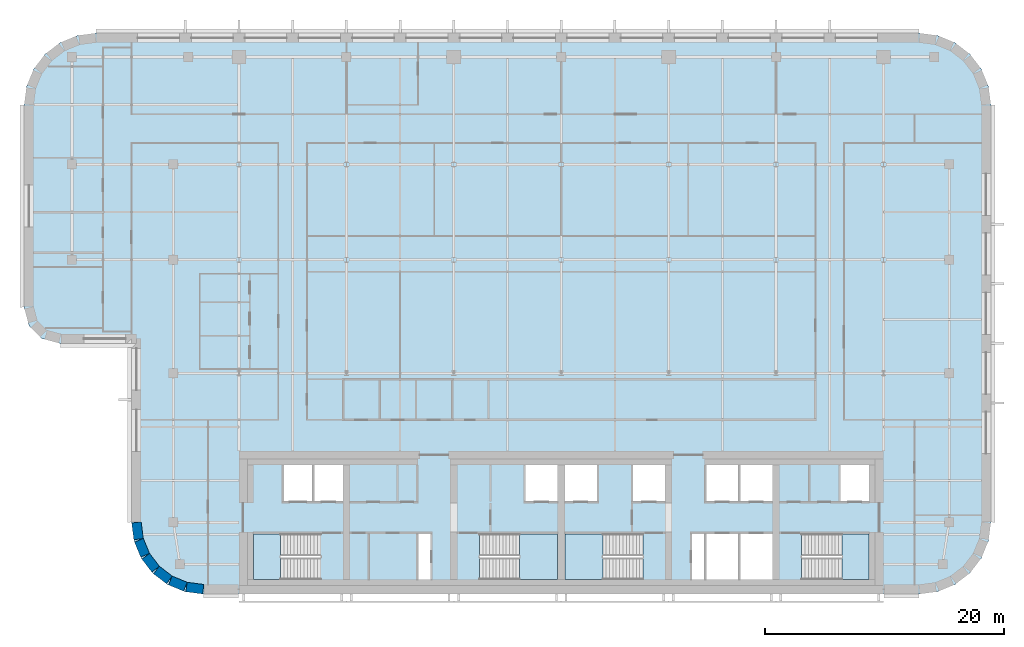
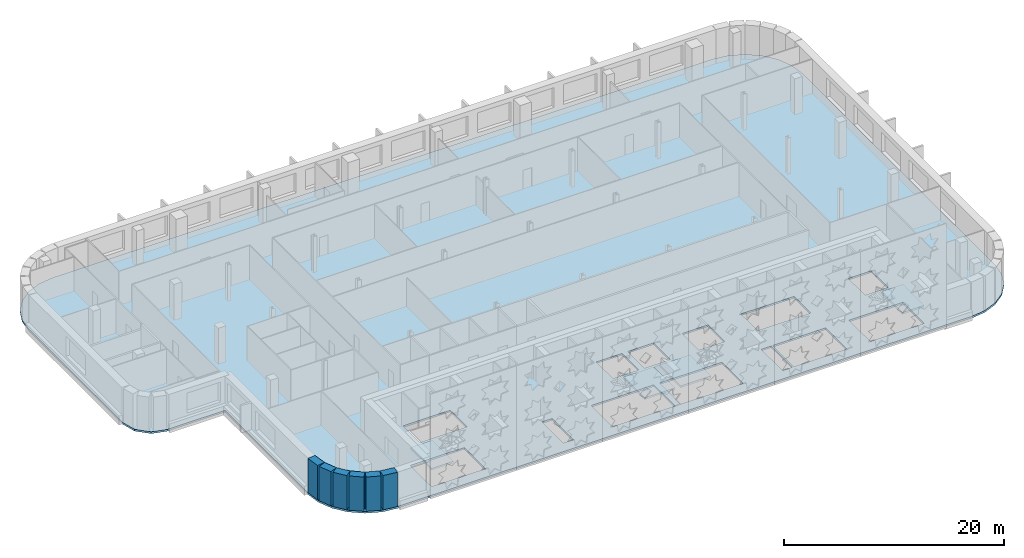
# One storey, part 6 of 18: 6 walls, 5 slabs, 4 elements without a shape of their own.
"""IFC4 building model written with IfcOpenShell, lengths in metres."""

from ifc_helpers import new_model, si_unit, direction, frame, frame_2d, origin, place, context, subcontext, project, spatial, polyline, rectangle, outline, extrude, material, layer, layer_set, type_object, element, aggregate, save


model = new_model("IFC4")

# Units and contexts
model_context = context("Model", 3, precision=1e-05, world=origin(), true_north=direction((0.0, 1.0)))
body_context = subcontext(model_context, "Body", "Model", "MODEL_VIEW")
ifc_project = project(units=[si_unit("LENGTHUNIT", "METRE"), si_unit("AREAUNIT", "SQUARE_METRE"), si_unit("VOLUMEUNIT", "CUBIC_METRE"), si_unit("PLANEANGLEUNIT", "RADIAN"), si_unit("MASSUNIT", "GRAM", prefix="KILO")], contexts=[model_context])

# Site, building, storey
site_placement = place(None, origin())
site = spatial("IfcSite", under=ifc_project, at=site_placement, CompositionType="ELEMENT")
building_placement = place(site_placement, origin())
building = spatial("IfcBuilding", under=site, at=building_placement, Name="Zellij Exchange Tower", CompositionType="ELEMENT")
storey_placement = place(building_placement, frame((0.0, 0.0, 240.5)))
storey = spatial("IfcBuildingStorey", under=building, at=storey_placement, Name="L56", CompositionType="ELEMENT", Elevation=240.5)

# Stair, slab
ifc_material_1 = material(Name="Concrete C40/50", Category="concrete")
stair_type = type_object("IfcStairType", Name="CORE-ST exit stair 1850 wide", PredefinedType="HALF_TURN_STAIR", material=ifc_material_1)
stair_1_placement = place(storey_placement, origin())
stair_1 = element("IfcStair", 1, at=stair_1_placement, inside=storey, type_object=stair_type, Name="L56 exit stair ST1", PredefinedType="HALF_TURN_STAIR")
ifc_layer_1 = layer(ifc_material_1, 0.199951171875)
ifc_layer_set_1 = layer_set([ifc_layer_1], Name="Concrete C40/50")
slab_type_1 = type_object("IfcSlabType", Name="CORE-SL stair landing 200", PredefinedType="LANDING", material=ifc_layer_set_1)
slab_1_placement = place(storey_placement, frame((0.0, 0.0, 1.800048828125)))
slab_1 = element("IfcSlab", 2, at=slab_1_placement, type_object=slab_type_1, Name="ST1 landing 1", PredefinedType="LANDING", context=body_context, shape_type="SweptSolid", body=[
    extrude(outline(polyline([(-23.510009765625, -8.949951171875), (-25.800048828125, -8.949951171875), (-25.800048828125, -12.800048828125), (-23.510009765625, -12.800048828125), (-23.510009765625, -8.949951171875)])), origin(), (0.0, 0.0, 1.0), 0.199951171875),
])
aggregate(stair_1, [slab_1])

stair_2_placement = place(storey_placement, origin())
stair_2 = element("IfcStair", 3, at=stair_2_placement, inside=storey, type_object=stair_type, Name="L56 exit stair ST2", PredefinedType="HALF_TURN_STAIR")
slab_2_placement = place(storey_placement, frame((0.0, 0.0, 1.800048828125)))
slab_2 = element("IfcSlab", 4, at=slab_2_placement, type_object=slab_type_1, Name="ST2 landing 1", PredefinedType="LANDING", context=body_context, shape_type="SweptSolid", body=[
    extrude(outline(polyline([(-3.489990234375, -12.800048828125), (-0.300048828125, -12.800048828125), (-0.300048828125, -8.949951171875), (-3.489990234375, -8.949951171875), (-3.489990234375, -12.800048828125)])), origin(), (0.0, 0.0, 1.0), 0.199951171875),
])
aggregate(stair_2, [slab_2])

stair_3_placement = place(storey_placement, origin())
stair_3 = element("IfcStair", 5, at=stair_3_placement, inside=storey, type_object=stair_type, Name="L56 exit stair ST3", PredefinedType="HALF_TURN_STAIR")
slab_3_placement = place(storey_placement, frame((0.0, 0.0, 1.800048828125)))
slab_3 = element("IfcSlab", 6, at=slab_3_placement, type_object=slab_type_1, Name="ST3 landing 1", PredefinedType="LANDING", context=body_context, shape_type="SweptSolid", body=[
    extrude(outline(polyline([(3.489990234375, -8.949951171875), (0.300048828125, -8.949951171875), (0.300048828125, -12.800048828125), (3.489990234375, -12.800048828125), (3.489990234375, -8.949951171875)])), origin(), (0.0, 0.0, 1.0), 0.199951171875),
])
aggregate(stair_3, [slab_3])

stair_4_placement = place(storey_placement, origin())
stair_4 = element("IfcStair", 7, at=stair_4_placement, inside=storey, type_object=stair_type, Name="L56 exit stair ST4", PredefinedType="HALF_TURN_STAIR")
slab_4_placement = place(storey_placement, frame((0.0, 0.0, 1.800048828125)))
slab_4 = element("IfcSlab", 8, at=slab_4_placement, type_object=slab_type_1, Name="ST4 landing 1", PredefinedType="LANDING", context=body_context, shape_type="SweptSolid", body=[
    extrude(outline(polyline([(23.510009765625, -12.800048828125), (25.800048828125, -12.800048828125), (25.800048828125, -8.949951171875), (23.510009765625, -8.949951171875), (23.510009765625, -12.800048828125)])), origin(), (0.0, 0.0, 1.0), 0.199951171875),
])
aggregate(stair_4, [slab_4])

# Slab
ifc_layer_2 = layer(ifc_material_1, 0.199951171875)
ifc_layer_set_2 = layer_set([ifc_layer_2], Name="Concrete C40/50")
slab_type_2 = type_object("IfcSlabType", Name="STR-FLOOR SLAB 200 C40/50", PredefinedType="FLOOR", material=ifc_layer_set_2)
slab_5_placement = place(storey_placement, frame((0.0, 0.0, -0.2001953125)))
element("IfcSlab", 9, at=slab_5_placement, inside=storey, type_object=slab_type_2, Name="Floor L56", PredefinedType="FLOOR", context=body_context, shape_type="SweptSolid", body=[
    extrude(outline(polyline([(31.552978515625, 32.795654296875), (33.0, 32.1962890625), (34.24267578125, 31.24267578125), (35.1962890625, 30.0), (35.795654296875, 28.552978515625), (36.0, 27.0), (36.0, -8.0), (35.795654296875, -9.552978515625), (35.1962890625, -11.0), (34.24267578125, -12.24267578125), (33.0, -13.1962890625), (31.552978515625, -13.795654296875), (30.0, -14.0), (-30.0, -14.0), (-31.552978515625, -13.795654296875), (-33.0, -13.1962890625), (-34.24267578125, -12.24267578125), (-35.1962890625, -11.0), (-35.795654296875, -9.552978515625), (-36.0, -8.0), (-36.0, 7.0), (-42.0, 7.0), (-43.5, 7.40185546875), (-44.59814453125, 8.5), (-45.0, 10.0), (-45.0, 27.0), (-44.795654296875, 28.552978515625), (-44.1962890625, 30.0), (-43.24267578125, 31.24267578125), (-42.0, 32.1962890625), (-40.552978515625, 32.795654296875), (-39.0, 33.0), (30.0, 33.0), (31.552978515625, 32.795654296875)]), holes=[polyline([(-25.800048828125, -8.949951171875), (-25.800048828125, -12.800048828125), (-20.153076171875, -12.800048828125), (-20.153076171875, -8.949951171875), (-25.800048828125, -8.949951171875)]), polyline([(-10.949951171875, -8.949951171875), (-12.0, -8.949951171875), (-12.0, -12.800048828125), (-10.949951171875, -12.800048828125), (-10.949951171875, -8.949951171875)]), polyline([(-0.300048828125, -8.949951171875), (-6.846923828125, -8.949951171875), (-6.846923828125, -12.800048828125), (-0.300048828125, -12.800048828125), (-0.300048828125, -8.949951171875)]), polyline([(0.300048828125, -8.949951171875), (0.300048828125, -12.800048828125), (6.846923828125, -12.800048828125), (6.846923828125, -8.949951171875), (0.300048828125, -8.949951171875)]), polyline([(-18.300048828125, -3.199951171875), (-23.25, -3.199951171875), (-23.25, -6.22509765625), (-18.300048828125, -6.22509765625), (-18.300048828125, -3.199951171875)]), polyline([(-0.300048828125, -3.199951171875), (-3.0, -3.199951171875), (-3.0, -6.22509765625), (-0.300048828125, -6.22509765625), (-0.300048828125, -3.199951171875)]), polyline([(0.300048828125, -3.199951171875), (0.300048828125, -6.22509765625), (3.0, -6.22509765625), (3.0, -3.199951171875), (0.300048828125, -3.199951171875)]), polyline([(12.0, -8.949951171875), (10.949951171875, -8.949951171875), (10.949951171875, -12.800048828125), (12.0, -12.800048828125), (12.0, -8.949951171875)]), polyline([(17.699951171875, -8.949951171875), (12.14990234375, -8.949951171875), (12.14990234375, -12.800048828125), (17.699951171875, -12.800048828125), (17.699951171875, -8.949951171875)]), polyline([(25.800048828125, -8.949951171875), (20.153076171875, -8.949951171875), (20.153076171875, -12.800048828125), (25.800048828125, -12.800048828125), (25.800048828125, -8.949951171875)]), polyline([(8.699951171875, -3.199951171875), (6.0, -3.199951171875), (6.0, -6.22509765625), (8.699951171875, -6.22509765625), (8.699951171875, -3.199951171875)]), polyline([(17.699951171875, -3.199951171875), (12.14990234375, -3.199951171875), (12.14990234375, -6.22509765625), (17.699951171875, -6.22509765625), (17.699951171875, -3.199951171875)]), polyline([(25.800048828125, -3.199951171875), (23.39990234375, -3.199951171875), (23.39990234375, -6.22509765625), (25.800048828125, -6.22509765625), (25.800048828125, -3.199951171875)])]), origin(), (0.0, 0.0, 1.0), 0.2001953125),
])

# Walls
ifc_material_2 = material(Name="Precast concrete C40/50", Category="concrete")
ifc_layer_3 = layer(ifc_material_2, 0.800048828125)
ifc_layer_set_3 = layer_set([ifc_layer_3], Name="Precast concrete C40/50")
wall_type = type_object("IfcWallType", Name="ENV-EW1 Precast stone-piered wall 800", PredefinedType="SOLIDWALL", material=ifc_layer_set_3)
wall_1_placement = place(storey_placement, frame((-35.5966796875, -7.999755859375, 0.0), z_axis=(0.0, 0.0, 1.0), x_axis=(0.130517283865, -0.99144603414, 0.0)))
element("IfcWall", 10, at=wall_1_placement, inside=storey, type_object=wall_type, Name="fac.L56.27", PredefinedType="SOLIDWALL", context=body_context, shape_type="SweptSolid", body=[
    extrude(rectangle(XDim=1.408447265625, YDim=0.800048828125, at=frame_2d((0.7041015625, 0.0))), origin(), (0.0, 0.0, 1.0), 3.800048828125),
])
wall_2_placement = place(storey_placement, frame((-35.3857421875, -9.497314453125, 0.0), z_axis=(0.0, 0.0, 1.0), x_axis=(0.38276009378, -0.923847774587, 0.0)))
element("IfcWall", 11, at=wall_2_placement, inside=storey, type_object=wall_type, Name="fac.L56.28", PredefinedType="SOLIDWALL", context=body_context, shape_type="SweptSolid", body=[
    extrude(rectangle(XDim=1.35546875, YDim=0.800048828125, at=frame_2d((0.677734375, 0.0))), origin(), (0.0, 0.0, 1.0), 3.800048828125),
])
for number, where, z_axis, x_axis, name in (
    (12, (-34.814697265625, -10.840087890625, 0.0), (0.0, 0.0, 1.0), (0.608866226366, -0.793272915452, 0.0), "fac.L56.29"),
    (13, (-33.91552734375, -11.9892578125, 0.0), (0.0, 0.0, 1.0), (0.793272915452, -0.608866226366, 0.0), "fac.L56.30"),
):
    element("IfcWall", number, at=place(storey_placement, frame(where, z_axis=z_axis, x_axis=x_axis)), inside=storey, type_object=wall_type, Name=name, PredefinedType="SOLIDWALL", context=body_context, shape_type="SweptSolid", body=[
        extrude(rectangle(XDim=1.355712890625, YDim=0.800048828125, at=frame_2d((0.677734375, 0.0))), origin(), (0.0, 0.0, 1.0), 3.800048828125),
    ])
wall_3_placement = place(storey_placement, frame((-32.74951171875, -12.866943359375, 0.0), z_axis=(0.0, 0.0, 1.0), x_axis=(0.923847774587, -0.38276009378, 0.0)))
element("IfcWall", 14, at=wall_3_placement, inside=storey, type_object=wall_type, Name="fac.L56.31", PredefinedType="SOLIDWALL", context=body_context, shape_type="SweptSolid", body=[
    extrude(rectangle(XDim=1.35546875, YDim=0.800048828125, at=frame_2d((0.677734375, 0.0))), origin(), (0.0, 0.0, 1.0), 3.800048828125),
])
wall_4_placement = place(storey_placement, frame((-31.396240234375, -13.412841796875, 0.0), z_axis=(0.0, 0.0, 1.0), x_axis=(0.99144603414, -0.130517283865, 0.0)))
element("IfcWall", 15, at=wall_4_placement, inside=storey, type_object=wall_type, Name="fac.L56.32", PredefinedType="SOLIDWALL", context=body_context, shape_type="SweptSolid", body=[
    extrude(rectangle(XDim=1.408447265625, YDim=0.800048828125, at=frame_2d((0.7041015625, 0.0))), origin(), (0.0, 0.0, 1.0), 3.800048828125),
])

save(model, "model.ifc")
